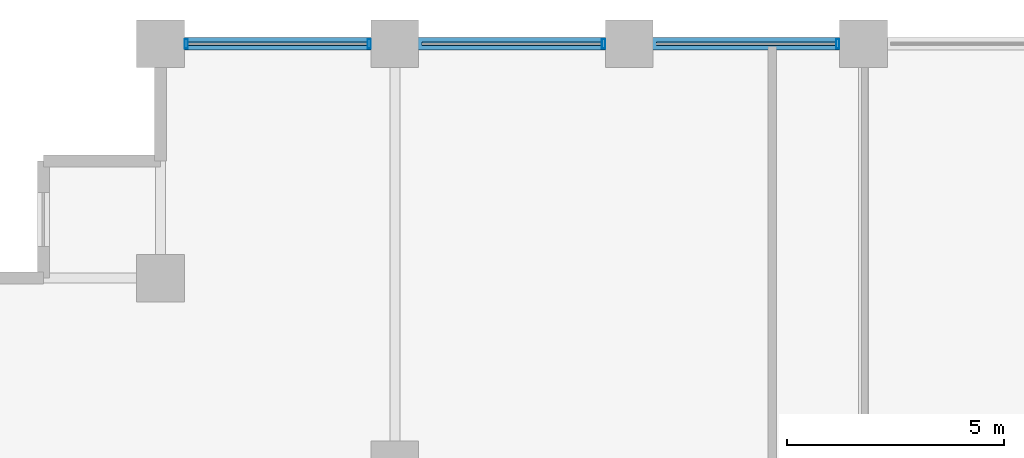
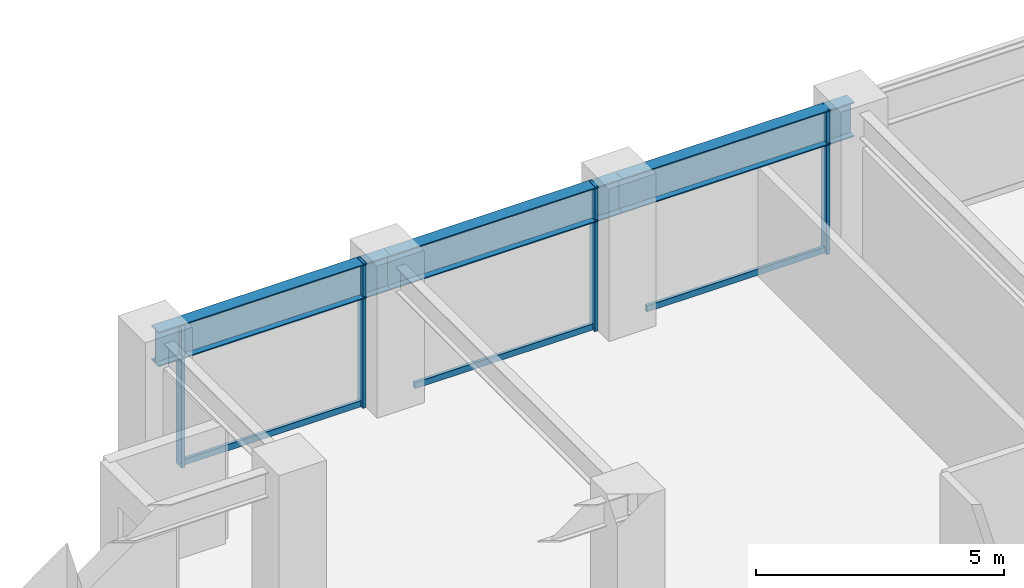
# One storey, part 12 of 25: 7 members, 3 beams, 1 element without a shape of its own.
"""IFC4 building model written with IfcOpenShell, lengths in metres."""

from ifc_helpers import new_model, si_unit, direction, frame, origin, origin_2d, place, context, subcontext, project, spatial, hollow_rectangle, i_section, extrude, material, layer, layer_set, material_profile, profile_set, type_object, element, aggregate, save


model = new_model("IFC4")

# Units and contexts
model_context = context("Model", 3, precision=1e-05, world=origin(), true_north=direction((0.0, 1.0)))
body_context = subcontext(model_context, "Body", "Model", "MODEL_VIEW")
ifc_project = project(units=[si_unit("LENGTHUNIT", "METRE"), si_unit("AREAUNIT", "SQUARE_METRE"), si_unit("VOLUMEUNIT", "CUBIC_METRE"), si_unit("PLANEANGLEUNIT", "RADIAN"), si_unit("MASSUNIT", "GRAM", prefix="KILO")], contexts=[model_context])

# Site, building, storey
site_placement = place(None, origin())
site = spatial("IfcSite", under=ifc_project, at=site_placement, CompositionType="ELEMENT")
building_placement = place(site_placement, origin())
building = spatial("IfcBuilding", under=site, at=building_placement, Name="Surkhivell Harbour Commons", CompositionType="ELEMENT")
storey_placement = place(building_placement, frame((0.0, 0.0, 113.25)))
storey = spatial("IfcBuildingStorey", under=building, at=storey_placement, Name="L29", CompositionType="ELEMENT", Elevation=113.25)

# Beams
ifc_material_1 = material(Name="Steel S460", Category="steel")
ifc_material_profile_1 = material_profile(ifc_material_1, i_section(OverallWidth=0.2939453125, OverallDepth=0.85107421875, WebThickness=0.01611328125, FlangeThickness=0.02685546875, at=origin_2d()), Name="UB838x292x226")
ifc_profile_set_1 = profile_set([ifc_material_profile_1], Name="Steel S460")
beam_type = type_object("IfcBeamType", Name="BM-SPN-838", PredefinedType="SPANDREL", material=ifc_profile_set_1)
beam_1_placement = place(storey_placement, frame((-27.0, 25.89990234375, 3.14453125), z_axis=(1.0, 0.0, 0.0), x_axis=(0.0, 1.0, 0.0)))
element("IfcBeam", 1, at=beam_1_placement, inside=storey, type_object=beam_type, Name="L29 Tube Spandrel (-27.0,25.9)", PredefinedType="SPANDREL", context=body_context, shape_type="SweptSolid", body=[
    extrude(i_section(OverallWidth=0.2939453125, OverallDepth=0.85107421875, WebThickness=0.01611328125, FlangeThickness=0.02685546875, at=origin_2d()), origin(), (0.0, 0.0, 1.0), 5.39990234375),
])
beam_2_placement = place(storey_placement, frame((-21.60009765625, 25.89990234375, 3.14453125), z_axis=(1.0, 0.0, 0.0), x_axis=(0.0, 1.0, 0.0)))
element("IfcBeam", 2, at=beam_2_placement, inside=storey, type_object=beam_type, Name="L29 Tube Spandrel (-21.6,25.9)", PredefinedType="SPANDREL", context=body_context, shape_type="SweptSolid", body=[
    extrude(i_section(OverallWidth=0.2939453125, OverallDepth=0.85107421875, WebThickness=0.01611328125, FlangeThickness=0.02685546875, at=origin_2d()), origin(), (0.0, 0.0, 1.0), 5.400146484375),
])
beam_3_placement = place(storey_placement, frame((-16.199951171875, 25.89990234375, 3.14453125), z_axis=(1.0, 0.0, 0.0), x_axis=(0.0, 1.0, 0.0)))
element("IfcBeam", 3, at=beam_3_placement, inside=storey, type_object=beam_type, Name="L29 Tube Spandrel (-16.2,25.9)", PredefinedType="SPANDREL", context=body_context, shape_type="SweptSolid", body=[
    extrude(i_section(OverallWidth=0.2939453125, OverallDepth=0.85107421875, WebThickness=0.01611328125, FlangeThickness=0.02685546875, at=origin_2d()), origin(), (0.0, 0.0, 1.0), 5.39990234375),
])

# Curtain wall, members
ifc_material_2 = material(Name="Anodised pale-metal aluminium and insulated glazing", Category="aluminium")
ifc_layer = layer(ifc_material_2, 0.205078125)
ifc_layer_set = layer_set([ifc_layer], Name="Anodised pale-metal aluminium and insulated glazing")
curtain_wall_type = type_object("IfcCurtainWallType", Name="CW-SYS-Z2", PredefinedType="NOTDEFINED", material=ifc_layer_set)
curtain_wall_placement = place(storey_placement, origin())
curtain_wall = element("IfcCurtainWall", 4, at=curtain_wall_placement, inside=storey, type_object=curtain_wall_type, Name="L29 Curtain Wall CW-L29-E07S2", PredefinedType="NOTDEFINED")
ifc_material_3 = material(Name="Anodised pale-metal aluminium alloy 6063-T6", Category="aluminium")
ifc_material_profile_2 = material_profile(ifc_material_3, hollow_rectangle(XDim=0.074951171875, YDim=0.219970703125, WallThickness=0.00390625, at=origin_2d()), Name="ALU-MULL-75x220")
ifc_profile_set_2 = profile_set([ifc_material_profile_2], Name="Anodised pale-metal aluminium alloy 6063-T6")
member_type_1 = type_object("IfcMemberType", Name="CWM-220", PredefinedType="MULLION", material=ifc_profile_set_2)
member_1_placement = place(storey_placement, frame((-11.389404296875, 25.89990234375, 0.0), z_axis=(0.0, 0.0, 1.0), x_axis=(-1.0, 0.0, 0.0)))
member_1 = element("IfcMember", 5, at=member_1_placement, type_object=member_type_1, Name="CW-Z2 mullion 2", PredefinedType="MULLION", context=body_context, shape_type="SweptSolid", body=[
    extrude(hollow_rectangle(XDim=0.074951171875, YDim=0.219970703125, WallThickness=0.00390625, at=origin_2d()), origin(), (0.0, 0.0, 1.0), 3.570068359375),
])
member_2_placement = place(storey_placement, frame((-16.78955078125, 25.89990234375, 0.0), z_axis=(0.0, 0.0, 1.0), x_axis=(-1.0, 0.0, 0.0)))
member_2 = element("IfcMember", 6, at=member_2_placement, type_object=member_type_1, Name="CW-Z2 mullion 3", PredefinedType="MULLION", context=body_context, shape_type="SweptSolid", body=[
    extrude(hollow_rectangle(XDim=0.074951171875, YDim=0.219970703125, WallThickness=0.00390625, at=origin_2d()), origin(), (0.0, 0.0, 1.0), 3.570068359375),
])
member_3_placement = place(storey_placement, frame((-22.189453125, 25.89990234375, 0.0), z_axis=(0.0, 0.0, 1.0), x_axis=(-1.0, 0.0, 0.0)))
member_3 = element("IfcMember", 7, at=member_3_placement, type_object=member_type_1, Name="CW-Z2 mullion 4", PredefinedType="MULLION", context=body_context, shape_type="SweptSolid", body=[
    extrude(hollow_rectangle(XDim=0.074951171875, YDim=0.219970703125, WallThickness=0.00390625, at=origin_2d()), origin(), (0.0, 0.0, 1.0), 3.570068359375),
])
member_4_placement = place(storey_placement, frame((-26.410400390625, 25.89990234375, 0.0), z_axis=(0.0, 0.0, 1.0), x_axis=(-1.0, 0.0, 0.0)))
member_4 = element("IfcMember", 8, at=member_4_placement, type_object=member_type_1, Name="CW-Z2 mullion 5", PredefinedType="MULLION", context=body_context, shape_type="SweptSolid", body=[
    extrude(hollow_rectangle(XDim=0.074951171875, YDim=0.219970703125, WallThickness=0.00390625, at=origin_2d()), origin(), (0.0, 0.0, 1.0), 3.570068359375),
])
ifc_material_profile_3 = material_profile(ifc_material_3, hollow_rectangle(XDim=0.074951171875, YDim=0.14990234375, WallThickness=0.00341796875, at=origin_2d()), Name="ALU-TRAN-75x150")
ifc_profile_set_3 = profile_set([ifc_material_profile_3], Name="Anodised pale-metal aluminium alloy 6063-T6")
member_type_2 = type_object("IfcMemberType", Name="CWT-150", PredefinedType="USERDEFINED", material=ifc_profile_set_3)
member_5_placement = place(storey_placement, frame((-11.427001953125, 25.89990234375, 0.074951171875), z_axis=(-1.0, 0.0, 0.0), x_axis=(0.0, -1.0, 0.0)))
member_5 = element("IfcMember", 9, at=member_5_placement, type_object=member_type_2, Name="CW-Z2 transom 2.1", ObjectType="TRANSOM", PredefinedType="USERDEFINED", context=body_context, shape_type="SweptSolid", body=[
    extrude(hollow_rectangle(XDim=0.074951171875, YDim=0.14990234375, WallThickness=0.00341796875, at=origin_2d()), origin(), (0.0, 0.0, 1.0), 4.14599609375),
])
member_6_placement = place(storey_placement, frame((-16.826904296875, 25.89990234375, 0.074951171875), z_axis=(-1.0, 0.0, 0.0), x_axis=(0.0, -1.0, 0.0)))
member_6 = element("IfcMember", 10, at=member_6_placement, type_object=member_type_2, Name="CW-Z2 transom 3.1", ObjectType="TRANSOM", PredefinedType="USERDEFINED", context=body_context, shape_type="SweptSolid", body=[
    extrude(hollow_rectangle(XDim=0.074951171875, YDim=0.14990234375, WallThickness=0.00341796875, at=origin_2d()), origin(), (0.0, 0.0, 1.0), 4.14599609375),
])
member_7_placement = place(storey_placement, frame((-22.22705078125, 25.89990234375, 0.074951171875), z_axis=(-1.0, 0.0, 0.0), x_axis=(0.0, -1.0, 0.0)))
member_7 = element("IfcMember", 11, at=member_7_placement, type_object=member_type_2, Name="CW-Z2 transom 4.1", ObjectType="TRANSOM", PredefinedType="USERDEFINED", context=body_context, shape_type="SweptSolid", body=[
    extrude(hollow_rectangle(XDim=0.074951171875, YDim=0.14990234375, WallThickness=0.00341796875, at=origin_2d()), origin(), (0.0, 0.0, 1.0), 4.14599609375),
])
aggregate(curtain_wall, [member_1, member_5, member_2, member_6, member_3, member_4, member_7])

save(model, "model.ifc")
